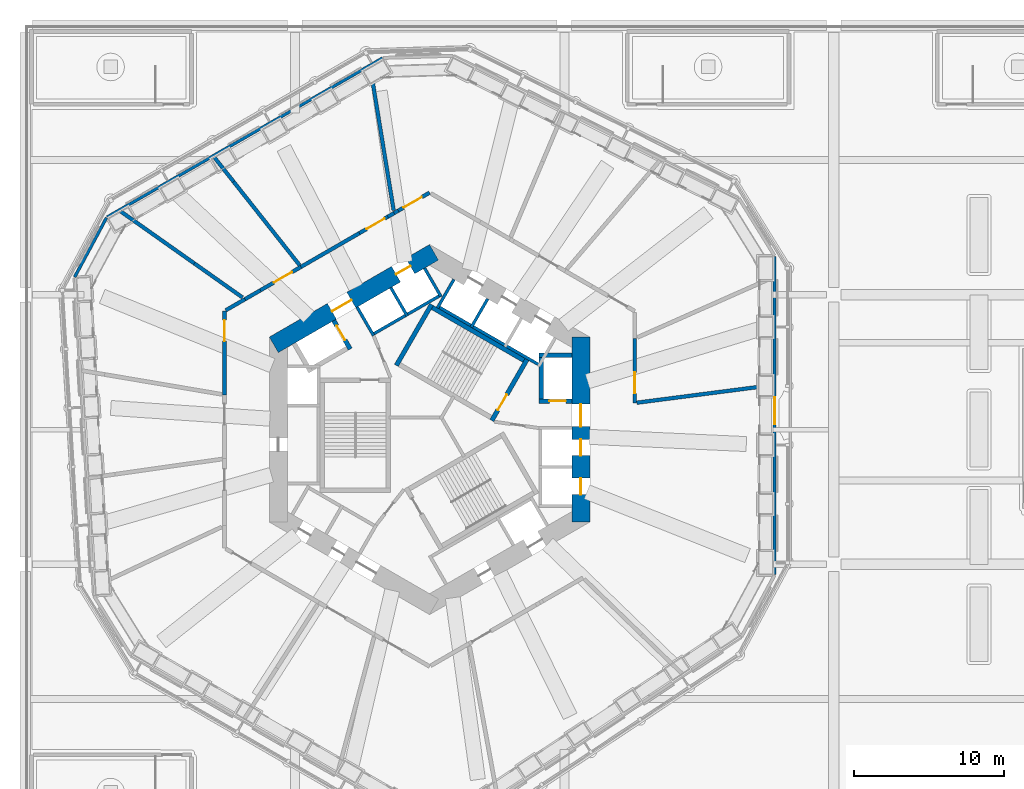
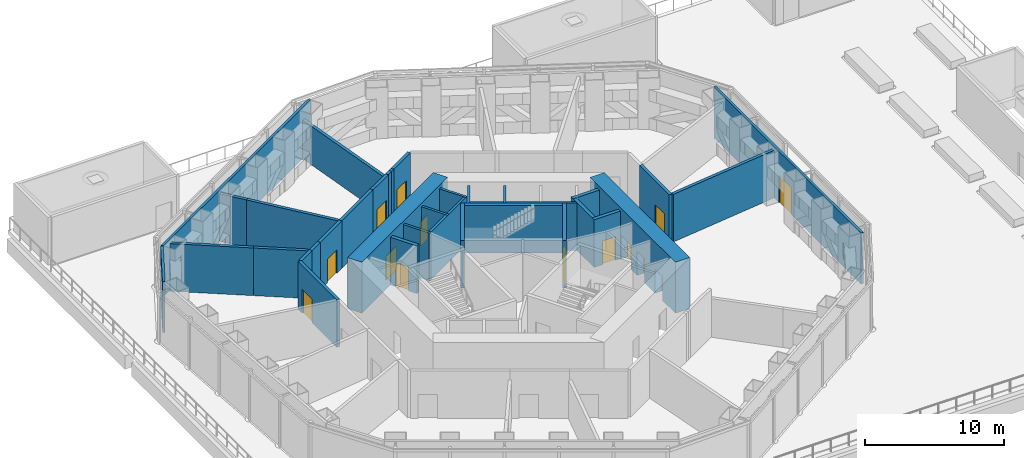
# One storey, part 8 of 20: 35 walls, 14 doors, 14 openings.
"""IFC4 building model written with IfcOpenShell, lengths in metres."""

from ifc_helpers import new_model, si_unit, direction, frame, frame_2d, origin, place, context, subcontext, project, spatial, rectangle, extrude, material, layer, layer_set, type_object, element, fill, save


model = new_model("IFC4")

# Units and contexts
model_context = context("Model", 3, precision=1e-05, world=origin(), true_north=direction((0.0, 1.0)))
body_context = subcontext(model_context, "Body", "Model", "MODEL_VIEW")
ifc_project = project(units=[si_unit("LENGTHUNIT", "METRE"), si_unit("AREAUNIT", "SQUARE_METRE"), si_unit("VOLUMEUNIT", "CUBIC_METRE"), si_unit("PLANEANGLEUNIT", "RADIAN"), si_unit("MASSUNIT", "GRAM", prefix="KILO")], contexts=[model_context])

# Site, building, storey
site_placement = place(None, origin())
site = spatial("IfcSite", under=ifc_project, at=site_placement, CompositionType="ELEMENT")
building_placement = place(site_placement, origin())
building = spatial("IfcBuilding", under=site, at=building_placement, Name="Vanh Sen Convention Tower", CompositionType="ELEMENT")
storey_placement = place(building_placement, frame((0.0, 0.0, 34.5)))
storey = spatial("IfcBuildingStorey", under=building, at=storey_placement, Name="L05", CompositionType="ELEMENT", Elevation=34.5)

# Wall
ifc_material_1 = material(Name="Concrete C40/50", Category="concrete")
ifc_layer_1 = layer(ifc_material_1, 0.25)
ifc_layer_set_1 = layer_set([ifc_layer_1], Name="Concrete C40/50")
wall_type_1 = type_object("IfcWallType", Name="Concrete wall 250 EI 180", PredefinedType="SOLIDWALL", material=ifc_layer_set_1)
wall_1_placement = place(storey_placement, frame((13.8388671875, 1.79052734375, 0.0), z_axis=(0.0, 0.0, 1.0), x_axis=(0.991734131904, 0.128309826658, 0.0)))
element("IfcWall", 1, at=wall_1_placement, inside=storey, type_object=wall_type_1, Name="Fire-resisting wall L05-027", PredefinedType="SOLIDWALL", context=body_context, shape_type="SweptSolid", body=[
    extrude(rectangle(XDim=9.177001953125, YDim=0.25, at=frame_2d((4.58837890625, 0.0))), origin(), (0.0, 0.0, 1.0), 4.199951171875),
])

# Wall, opening, door
wall_2_placement = place(storey_placement, frame((-13.699951171875, 2.320556640625, 0.0), z_axis=(0.0, 0.0, 1.0), x_axis=(0.0, 1.0, 0.0)))
wall_2 = element("IfcWall", 2, at=wall_2_placement, inside=storey, type_object=wall_type_1, Name="Fire-resisting wall L05-028", PredefinedType="SOLIDWALL", context=body_context, shape_type="SweptSolid", body=[
    extrude(rectangle(XDim=5.5888671875, YDim=0.25, at=frame_2d((2.79443359375, 0.0))), origin(), (0.0, 0.0, 1.0), 4.199951171875),
])
opening_1_placement = place(wall_2_placement, frame((3.589111328125, 0.0, 0.0)))
opening_1 = element("IfcOpeningElement", 3, at=opening_1_placement, cuts=wall_2, Name="Opening D05110", PredefinedType="OPENING", context=body_context, shape_type="SweptSolid", body=[
    extrude(rectangle(XDim=1.39990234375, YDim=2.10009765625, at=frame_2d((0.699951171875, 1.050048828125))), frame((0.0, 0.135009765625, 0.0), z_axis=(0.0, -1.0, 0.0), x_axis=(1.0, 0.0, 0.0)), (0.0, 0.0, 1.0), 0.27001953125),
])
ifc_material_2 = material(Name="Steel S355", Category="steel")
door_type_1 = type_object("IfcDoorType", Name="Service door 1400 EI 60", OperationType="SINGLE_SWING_LEFT", PredefinedType="DOOR", material=ifc_material_2)
door_1_placement = place(opening_1_placement, origin())
door_1 = element("IfcDoor", 4, at=door_1_placement, inside=storey, type_object=door_type_1, Name="Service door D05110", OperationType="SINGLE_SWING_LEFT", OverallHeight=2.10009765625, OverallWidth=1.39990234375, PredefinedType="DOOR", context=body_context, shape_type="SweptSolid", body=[
    extrude(rectangle(XDim=1.39990234375, YDim=2.10009765625, at=frame_2d((0.699951171875, 1.050048828125))), frame((0.0, 0.02490234375, 0.0), z_axis=(0.0, -1.0, 0.0), x_axis=(1.0, 0.0, 0.0)), (0.0, 0.0, 1.0), 0.050048828125),
])
fill(opening_1, door_1)

wall_3_placement = place(storey_placement, frame((13.699951171875, 6.070556640625, 0.0), z_axis=(0.0, 0.0, 1.0), x_axis=(0.0, -1.0, 0.0)))
wall_3 = element("IfcWall", 5, at=wall_3_placement, inside=storey, type_object=wall_type_1, Name="Fire-resisting wall L05-032", PredefinedType="SOLIDWALL", context=body_context, shape_type="SweptSolid", body=[
    extrude(rectangle(XDim=4.298095703125, YDim=0.25, at=frame_2d((2.14892578125, 0.0))), origin(), (0.0, 0.0, 1.0), 4.199951171875),
])
opening_2_placement = place(wall_3_placement, frame((2.248046875, 0.0, 0.0)))
opening_2 = element("IfcOpeningElement", 6, at=opening_2_placement, cuts=wall_3, Name="Opening D05111", PredefinedType="OPENING", context=body_context, shape_type="SweptSolid", body=[
    extrude(rectangle(XDim=1.39990234375, YDim=2.10009765625, at=frame_2d((0.699951171875, 1.050048828125))), frame((0.0, 0.135009765625, 0.0), z_axis=(0.0, -1.0, 0.0), x_axis=(1.0, 0.0, 0.0)), (0.0, 0.0, 1.0), 0.27001953125),
])
door_2_placement = place(opening_2_placement, origin())
door_2 = element("IfcDoor", 7, at=door_2_placement, inside=storey, type_object=door_type_1, Name="Service door D05111", OperationType="SINGLE_SWING_LEFT", OverallHeight=2.10009765625, OverallWidth=1.39990234375, PredefinedType="DOOR", context=body_context, shape_type="SweptSolid", body=[
    extrude(rectangle(XDim=1.39990234375, YDim=2.10009765625, at=frame_2d((0.699951171875, 1.050048828125))), frame((0.0, 0.02490234375, 0.0), z_axis=(0.0, -1.0, 0.0), x_axis=(1.0, 0.0, 0.0)), (0.0, 0.0, 1.0), 0.050048828125),
])
fill(opening_2, door_2)

# Walls
wall_4_placement = place(storey_placement, frame((-13.61328125, 7.95947265625, 0.0), z_axis=(0.0, 0.0, 1.0), x_axis=(0.865953452179, 0.500124603133, 0.0)))
element("IfcWall", 8, at=wall_4_placement, inside=storey, type_object=wall_type_1, Name="Fire-resisting wall L05-036", PredefinedType="SOLIDWALL", context=body_context, shape_type="SweptSolid", body=[
    extrude(rectangle(XDim=1.48876953125, YDim=0.25, at=frame_2d((0.744384765625, 0.0))), origin(), (0.0, 0.0, 1.0), 4.199951171875),
])
wall_5_placement = place(storey_placement, frame((-11.292236328125, 9.299560546875, 0.0), z_axis=(0.0, 0.0, 1.0), x_axis=(-0.866103686826, -0.499864385274, 0.0)))
element("IfcWall", 9, at=wall_5_placement, inside=storey, type_object=wall_type_1, Name="Fire-resisting wall L05-037", PredefinedType="SOLIDWALL", context=body_context, shape_type="SweptSolid", body=[
    extrude(rectangle(XDim=1.191162109375, YDim=0.25, at=frame_2d((0.595703125, 0.0))), origin(), (0.0, 0.0, 1.0), 4.199951171875),
])

# Wall, opening, door
wall_6_placement = place(storey_placement, frame((-8.5869140625, 10.861572265625, 0.0), z_axis=(0.0, 0.0, 1.0), x_axis=(-0.86601248742, -0.500022371132, 0.0)))
wall_6 = element("IfcWall", 10, at=wall_6_placement, inside=storey, type_object=wall_type_1, Name="Fire-resisting wall L05-040", PredefinedType="SOLIDWALL", context=body_context, shape_type="SweptSolid", body=[
    extrude(rectangle(XDim=3.123779296875, YDim=0.25, at=frame_2d((1.56201171875, 0.0))), origin(), (0.0, 0.0, 1.0), 4.199951171875),
])
opening_3_placement = place(wall_6_placement, frame((0.699951171875, 0.0, 0.0)))
opening_3 = element("IfcOpeningElement", 11, at=opening_3_placement, cuts=wall_6, Name="Opening D05114", PredefinedType="OPENING", context=body_context, shape_type="SweptSolid", body=[
    extrude(rectangle(XDim=1.39990234375, YDim=2.10009765625, at=frame_2d((0.699951171875, 1.050048828125))), frame((0.0, 0.135009765625, 0.0), z_axis=(0.0, -1.0, 0.0), x_axis=(1.0, 0.0, 0.0)), (0.0, 0.0, 1.0), 0.27001953125),
])
door_3_placement = place(opening_3_placement, origin())
door_3 = element("IfcDoor", 12, at=door_3_placement, inside=storey, type_object=door_type_1, Name="Service door D05114", OperationType="SINGLE_SWING_LEFT", OverallHeight=2.10009765625, OverallWidth=1.39990234375, PredefinedType="DOOR", context=body_context, shape_type="SweptSolid", body=[
    extrude(rectangle(XDim=1.39990234375, YDim=2.10009765625, at=frame_2d((0.699951171875, 1.050048828125))), frame((0.0, 0.02490234375, 0.0), z_axis=(0.0, -1.0, 0.0), x_axis=(1.0, 0.0, 0.0)), (0.0, 0.0, 1.0), 0.050048828125),
])
fill(opening_3, door_3)

# Walls
wall_7_placement = place(storey_placement, frame((-8.587158203125, 10.861572265625, 0.0), z_axis=(0.0, 0.0, 1.0), x_axis=(0.866020461467, 0.500008560247, 0.0)))
element("IfcWall", 13, at=wall_7_placement, inside=storey, type_object=wall_type_1, Name="Fire-resisting wall L05-041", PredefinedType="SOLIDWALL", context=body_context, shape_type="SweptSolid", body=[
    extrude(rectangle(XDim=4.505859375, YDim=0.25, at=frame_2d((2.2529296875, 0.0))), origin(), (0.0, 0.0, 1.0), 4.199951171875),
])
wall_8_placement = place(storey_placement, frame((-15.70703125, 11.093505859375, 0.0), z_axis=(0.0, 0.0, 1.0), x_axis=(0.816797900082, -0.576923903493, 0.0)))
element("IfcWall", 14, at=wall_8_placement, inside=storey, type_object=wall_type_1, Name="Fire-resisting wall L05-042", PredefinedType="SOLIDWALL", context=body_context, shape_type="SweptSolid", body=[
    extrude(rectangle(XDim=3.94189453125, YDim=0.25, at=frame_2d((1.970947265625, 0.0))), origin(), (0.0, 0.0, 1.0), 4.199951171875),
])
wall_9_placement = place(storey_placement, frame((-15.70703125, 11.093505859375, 0.0), z_axis=(0.0, 0.0, 1.0), x_axis=(-0.816770466732, 0.57696274115, 0.0)))
element("IfcWall", 15, at=wall_9_placement, inside=storey, type_object=wall_type_1, Name="Fire-resisting wall L05-043", PredefinedType="SOLIDWALL", context=body_context, shape_type="SweptSolid", body=[
    extrude(rectangle(XDim=6.0341796875, YDim=0.25, at=frame_2d((3.01708984375, 0.0))), origin(), (0.0, 0.0, 1.0), 4.199951171875),
])

# Wall, opening, door
wall_10_placement = place(storey_placement, frame((-4.68505859375, 13.114501953125, 0.0), z_axis=(0.0, 0.0, 1.0), x_axis=(0.866008176907, 0.50002983664, 0.0)))
wall_10 = element("IfcWall", 16, at=wall_10_placement, inside=storey, type_object=wall_type_1, Name="Fire-resisting wall L05-045", PredefinedType="SOLIDWALL", context=body_context, shape_type="SweptSolid", body=[
    extrude(rectangle(XDim=2.199951171875, YDim=0.25, at=frame_2d((1.10009765625, 0.0))), origin(), (0.0, 0.0, 1.0), 4.199951171875),
])
opening_4_placement = place(wall_10_placement, frame((0.550048828125, 0.0, 0.0)))
opening_4 = element("IfcOpeningElement", 17, at=opening_4_placement, cuts=wall_10, Name="Opening D05115", PredefinedType="OPENING", context=body_context, shape_type="SweptSolid", body=[
    extrude(rectangle(XDim=1.39990234375, YDim=2.10009765625, at=frame_2d((0.699951171875, 1.050048828125))), frame((0.0, 0.135009765625, 0.0), z_axis=(0.0, -1.0, 0.0), x_axis=(1.0, 0.0, 0.0)), (0.0, 0.0, 1.0), 0.27001953125),
])
door_4_placement = place(opening_4_placement, origin())
door_4 = element("IfcDoor", 18, at=door_4_placement, inside=storey, type_object=door_type_1, Name="Service door D05115", OperationType="SINGLE_SWING_LEFT", OverallHeight=2.10009765625, OverallWidth=1.39990234375, PredefinedType="DOOR", context=body_context, shape_type="SweptSolid", body=[
    extrude(rectangle(XDim=1.39990234375, YDim=2.10009765625, at=frame_2d((0.699951171875, 1.050048828125))), frame((0.0, 0.02490234375, 0.0), z_axis=(0.0, -1.0, 0.0), x_axis=(1.0, 0.0, 0.0)), (0.0, 0.0, 1.0), 0.050048828125),
])
fill(opening_4, door_4)

# Walls
wall_11_placement = place(storey_placement, frame((-2.77978515625, 14.214599609375, 0.0), z_axis=(0.0, 0.0, 1.0), x_axis=(0.866007328409, 0.500031306162, 0.0)))
element("IfcWall", 19, at=wall_11_placement, inside=storey, type_object=wall_type_1, Name="Fire-resisting wall L05-047", PredefinedType="SOLIDWALL", context=body_context, shape_type="SweptSolid", body=[
    extrude(rectangle(XDim=0.47900390625, YDim=0.25, at=frame_2d((0.239501953125, 0.0))), origin(), (0.0, 0.0, 1.0), 4.199951171875),
])
wall_12_placement = place(storey_placement, frame((-2.364990234375, 14.4541015625, 0.0), z_axis=(0.0, 0.0, 1.0), x_axis=(0.86622356696, 0.499656614129, 0.0)))
element("IfcWall", 20, at=wall_12_placement, inside=storey, type_object=wall_type_1, Name="Fire-resisting wall L05-048", PredefinedType="SOLIDWALL", context=body_context, shape_type="SweptSolid", body=[
    extrude(rectangle(XDim=0.321044921875, YDim=0.25, at=frame_2d((0.16064453125, 0.0))), origin(), (0.0, 0.0, 1.0), 4.199951171875),
])
wall_13_placement = place(storey_placement, frame((-2.39404296875, 14.631591796875, 0.0), z_axis=(0.0, 0.0, 1.0), x_axis=(-0.161467170833, 0.986878084032, 0.0)))
element("IfcWall", 21, at=wall_13_placement, inside=storey, type_object=wall_type_1, Name="Fire-resisting wall L05-049", PredefinedType="SOLIDWALL", context=body_context, shape_type="SweptSolid", body=[
    extrude(rectangle(XDim=9.697998046875, YDim=0.25, at=frame_2d((4.84912109375, 0.0))), origin(), (0.0, 0.0, 1.0), 3.39990234375),
])

# Wall, opening, door
wall_14_placement = place(storey_placement, frame((0.0, 15.819580078125, 0.0), z_axis=(0.0, 0.0, 1.0), x_axis=(-0.86598987286, -0.500061536317, 0.0)))
wall_14 = element("IfcWall", 22, at=wall_14_placement, inside=storey, type_object=wall_type_1, Name="Fire-resisting wall L05-051", PredefinedType="SOLIDWALL", context=body_context, shape_type="SweptSolid", body=[
    extrude(rectangle(XDim=2.409912109375, YDim=0.25, at=frame_2d((1.205078125, 0.0))), origin(), (0.0, 0.0, 1.0), 4.199951171875),
])
opening_5_placement = place(wall_14_placement, frame((0.60009765625, 0.0, 0.0)))
opening_5 = element("IfcOpeningElement", 23, at=opening_5_placement, cuts=wall_14, Name="Opening D05116", PredefinedType="OPENING", context=body_context, shape_type="SweptSolid", body=[
    extrude(rectangle(XDim=1.39990234375, YDim=2.10009765625, at=frame_2d((0.699951171875, 1.050048828125))), frame((0.0, 0.135009765625, 0.0), z_axis=(0.0, -1.0, 0.0), x_axis=(1.0, 0.0, 0.0)), (0.0, 0.0, 1.0), 0.27001953125),
])
door_5_placement = place(opening_5_placement, origin())
door_5 = element("IfcDoor", 24, at=door_5_placement, inside=storey, type_object=door_type_1, Name="Service door D05116", OperationType="SINGLE_SWING_LEFT", OverallHeight=2.10009765625, OverallWidth=1.39990234375, PredefinedType="DOOR", context=body_context, shape_type="SweptSolid", body=[
    extrude(rectangle(XDim=1.39990234375, YDim=2.10009765625, at=frame_2d((0.699951171875, 1.050048828125))), frame((0.0, 0.02490234375, 0.0), z_axis=(0.0, -1.0, 0.0), x_axis=(1.0, 0.0, 0.0)), (0.0, 0.0, 1.0), 0.050048828125),
])
fill(opening_5, door_5)

# Walls
wall_15_placement = place(storey_placement, frame((-13.08544921875, 16.551513671875, 0.0), z_axis=(0.0, 0.0, 1.0), x_axis=(0.620189417407, -0.784452093207, 0.0)))
element("IfcWall", 25, at=wall_15_placement, inside=storey, type_object=wall_type_1, Name="Fire-resisting wall L05-052", PredefinedType="SOLIDWALL", context=body_context, shape_type="SweptSolid", body=[
    extrude(rectangle(XDim=7.11328125, YDim=0.25, at=frame_2d((3.556640625, 0.0))), origin(), (0.0, 0.0, 1.0), 4.199951171875),
])
wall_16_placement = place(storey_placement, frame((-13.08544921875, 16.551513671875, 0.0), z_axis=(0.0, 0.0, 1.0), x_axis=(-0.620057979912, 0.784555990066, 0.0)))
element("IfcWall", 26, at=wall_16_placement, inside=storey, type_object=wall_type_1, Name="Fire-resisting wall L05-053", PredefinedType="SOLIDWALL", context=body_context, shape_type="SweptSolid", body=[
    extrude(rectangle(XDim=2.085205078125, YDim=0.25, at=frame_2d((1.04248046875, 0.0))), origin(), (0.0, 0.0, 1.0), 4.199951171875),
])

# Wall, openings, doors
ifc_material_3 = material(Name="Concrete C80/95", Category="concrete")
ifc_layer_2 = layer(ifc_material_3, 1.199951171875)
ifc_layer_set_2 = layer_set([ifc_layer_2], Name="Concrete C80/95")
wall_type_2 = type_object("IfcWallType", Name="Core outer wall 1200 C80/95", PredefinedType="SHEAR", material=ifc_layer_set_2)
wall_17_placement = place(storey_placement, frame((10.10009765625, -6.177490234375, 0.0), z_axis=(0.0, 0.0, 1.0), x_axis=(0.0, 1.0, 0.0)))
wall_17 = element("IfcWall", 27, at=wall_17_placement, inside=storey, type_object=wall_type_2, Name="Core wall face E L05", PredefinedType="SHEAR", context=body_context, shape_type="SweptSolid", body=[
    extrude(rectangle(XDim=12.35498046875, YDim=1.199951171875, at=frame_2d((6.177490234375, 0.0))), origin(), (0.0, 0.0, 1.0), 4.5),
])
opening_6_placement = place(wall_17_placement, frame((6.377685546875, 0.0, 0.0)))
opening_6 = element("IfcOpeningElement", 28, at=opening_6_placement, cuts=wall_17, Name="Opening D05001", PredefinedType="OPENING", context=body_context, shape_type="SweptSolid", body=[
    extrude(rectangle(XDim=1.5, YDim=2.10009765625, at=frame_2d((0.75, 1.050048828125))), frame((0.0, 0.60986328125, 0.0), z_axis=(0.0, -1.0, 0.0), x_axis=(1.0, 0.0, 0.0)), (0.0, 0.0, 1.0), 1.219970703125),
])
opening_7_placement = place(wall_17_placement, frame((1.82763671875, 0.0, 0.0)))
opening_7 = element("IfcOpeningElement", 29, at=opening_7_placement, cuts=wall_17, Name="Opening LD-LR1", PredefinedType="OPENING", context=body_context, shape_type="SweptSolid", body=[
    extrude(rectangle(XDim=1.10009765625, YDim=2.10009765625, at=frame_2d((0.550048828125, 1.050048828125))), frame((0.0, 0.60986328125, 0.0), z_axis=(0.0, -1.0, 0.0), x_axis=(1.0, 0.0, 0.0)), (0.0, 0.0, 1.0), 1.219970703125),
])
opening_8_placement = place(wall_17_placement, frame((4.427490234375, 0.0, 0.0)))
opening_8 = element("IfcOpeningElement", 30, at=opening_8_placement, cuts=wall_17, Name="Opening LD-LR2", PredefinedType="OPENING", context=body_context, shape_type="SweptSolid", body=[
    extrude(rectangle(XDim=1.10009765625, YDim=2.10009765625, at=frame_2d((0.550048828125, 1.050048828125))), frame((0.0, 0.60986328125, 0.0), z_axis=(0.0, -1.0, 0.0), x_axis=(1.0, 0.0, 0.0)), (0.0, 0.0, 1.0), 1.219970703125),
])
ifc_material_4 = material(Name="Stainless steel", Category="steel")
door_type_2 = type_object("IfcDoorType", Name="Lift landing door 1100", OperationType="DOUBLE_DOOR_SLIDING", PredefinedType="DOOR", material=ifc_material_4)
door_6_placement = place(opening_7_placement, origin())
door_6 = element("IfcDoor", 31, at=door_6_placement, inside=storey, type_object=door_type_2, Name="Lift LR1 landing door LD-LR1", OperationType="DOUBLE_DOOR_SLIDING", OverallHeight=2.10009765625, OverallWidth=1.10009765625, PredefinedType="DOOR", context=body_context, shape_type="SweptSolid", body=[
    extrude(rectangle(XDim=1.10009765625, YDim=2.10009765625, at=frame_2d((0.550048828125, 1.050048828125))), frame((0.0, 0.02490234375, 0.0), z_axis=(0.0, -1.0, 0.0), x_axis=(1.0, 0.0, 0.0)), (0.0, 0.0, 1.0), 0.050048828125),
])
fill(opening_7, door_6)
door_7_placement = place(opening_8_placement, origin())
door_7 = element("IfcDoor", 32, at=door_7_placement, inside=storey, type_object=door_type_2, Name="Lift LR2 landing door LD-LR2", OperationType="DOUBLE_DOOR_SLIDING", OverallHeight=2.10009765625, OverallWidth=1.10009765625, PredefinedType="DOOR", context=body_context, shape_type="SweptSolid", body=[
    extrude(rectangle(XDim=1.10009765625, YDim=2.10009765625, at=frame_2d((0.550048828125, 1.050048828125))), frame((0.0, 0.02490234375, 0.0), z_axis=(0.0, -1.0, 0.0), x_axis=(1.0, 0.0, 0.0)), (0.0, 0.0, 1.0), 0.050048828125),
])
fill(opening_8, door_7)
ifc_material_5 = material(Name="Steel S355", Category="steel")
door_type_3 = type_object("IfcDoorType", Name="Stair lobby door 1500", OperationType="DOUBLE_DOOR_SINGLE_SWING", PredefinedType="DOOR", material=ifc_material_5)
door_8_placement = place(opening_6_placement, origin())
door_8 = element("IfcDoor", 33, at=door_8_placement, inside=storey, type_object=door_type_3, Name="Stair lobby door D05001", OperationType="DOUBLE_DOOR_SINGLE_SWING", OverallHeight=2.10009765625, OverallWidth=1.5, PredefinedType="DOOR", context=body_context, shape_type="SweptSolid", body=[
    extrude(rectangle(XDim=1.5, YDim=2.10009765625, at=frame_2d((0.75, 1.050048828125))), frame((0.0, 0.02490234375, 0.0), z_axis=(0.0, -1.0, 0.0), x_axis=(1.0, 0.0, 0.0)), (0.0, 0.0, 1.0), 0.050048828125),
])
fill(opening_6, door_8)

wall_18_placement = place(storey_placement, frame((0.300048828125, 11.835693359375, 0.0), z_axis=(0.0, 0.0, 1.0), x_axis=(-0.866021384402, -0.500006961711, 0.0)))
wall_18 = element("IfcWall", 34, at=wall_18_placement, inside=storey, type_object=wall_type_2, Name="Core wall face NW L05", PredefinedType="SHEAR", context=body_context, shape_type="SweptSolid", body=[
    extrude(rectangle(XDim=12.355224609375, YDim=1.199951171875, at=frame_2d((6.177734375, 0.0))), origin(), (0.0, 0.0, 1.0), 4.5),
])
opening_9_placement = place(wall_18_placement, frame((6.377685546875, 0.0, 0.0)))
opening_9 = element("IfcOpeningElement", 35, at=opening_9_placement, cuts=wall_18, Name="Opening D05002", PredefinedType="OPENING", context=body_context, shape_type="SweptSolid", body=[
    extrude(rectangle(XDim=1.5, YDim=2.10009765625, at=frame_2d((0.75, 1.050048828125))), frame((0.0, 0.60986328125, 0.0), z_axis=(0.0, -1.0, 0.0), x_axis=(1.0, 0.0, 0.0)), (0.0, 0.0, 1.0), 1.219970703125),
])
opening_10_placement = place(wall_18_placement, frame((1.82763671875, 0.0, 0.0)))
opening_10 = element("IfcOpeningElement", 36, at=opening_10_placement, cuts=wall_18, Name="Opening LD-LR6", PredefinedType="OPENING", context=body_context, shape_type="SweptSolid", body=[
    extrude(rectangle(XDim=1.10009765625, YDim=2.10009765625, at=frame_2d((0.550048828125, 1.050048828125))), frame((0.0, 0.60986328125, 0.0), z_axis=(0.0, -1.0, 0.0), x_axis=(1.0, 0.0, 0.0)), (0.0, 0.0, 1.0), 1.219970703125),
])
door_9_placement = place(opening_10_placement, origin())
door_9 = element("IfcDoor", 37, at=door_9_placement, inside=storey, type_object=door_type_2, Name="Lift LR6 landing door LD-LR6", OperationType="DOUBLE_DOOR_SLIDING", OverallHeight=2.10009765625, OverallWidth=1.10009765625, PredefinedType="DOOR", context=body_context, shape_type="SweptSolid", body=[
    extrude(rectangle(XDim=1.10009765625, YDim=2.10009765625, at=frame_2d((0.550048828125, 1.050048828125))), frame((0.0, 0.02490234375, 0.0), z_axis=(0.0, -1.0, 0.0), x_axis=(1.0, 0.0, 0.0)), (0.0, 0.0, 1.0), 0.050048828125),
])
fill(opening_10, door_9)
door_10_placement = place(opening_9_placement, origin())
door_10 = element("IfcDoor", 38, at=door_10_placement, inside=storey, type_object=door_type_3, Name="Stair lobby door D05002", OperationType="DOUBLE_DOOR_SINGLE_SWING", OverallHeight=2.10009765625, OverallWidth=1.5, PredefinedType="DOOR", context=body_context, shape_type="SweptSolid", body=[
    extrude(rectangle(XDim=1.5, YDim=2.10009765625, at=frame_2d((0.75, 1.050048828125))), frame((0.0, 0.02490234375, 0.0), z_axis=(0.0, -1.0, 0.0), x_axis=(1.0, 0.0, 0.0)), (0.0, 0.0, 1.0), 0.050048828125),
])
fill(opening_9, door_10)

# Wall, opening, door
ifc_material_6 = material(Name="Insulated lightweight infill wall")
ifc_layer_3 = layer(ifc_material_6, 0.199951171875)
ifc_layer_set_3 = layer_set([ifc_layer_3], Name="Insulated lightweight infill wall")
wall_type_3 = type_object("IfcWallType", Name="External wall 200", PredefinedType="STANDARD", material=ifc_layer_set_3)
wall_19_placement = place(storey_placement, frame((23.050048828125, -9.6865234375, 0.0), z_axis=(0.0, 0.0, 1.0), x_axis=(0.0, 1.0, 0.0)))
wall_19 = element("IfcWall", 39, at=wall_19_placement, inside=storey, type_object=wall_type_3, Name="External wall E L05", PredefinedType="STANDARD", context=body_context, shape_type="SweptSolid", body=[
    extrude(rectangle(XDim=21.24609375, YDim=0.199951171875, at=frame_2d((10.623046875, 0.0))), origin(), (0.0, 0.0, 1.0), 4.5),
])
opening_11_placement = place(wall_19_placement, frame((10.03369140625, 0.0, 0.0)))
opening_11 = element("IfcOpeningElement", 40, at=opening_11_placement, cuts=wall_19, Name="Opening TD051", PredefinedType="OPENING", context=body_context, shape_type="SweptSolid", body=[
    extrude(rectangle(XDim=1.800048828125, YDim=2.39990234375, at=frame_2d((0.89990234375, 1.199951171875))), frame((0.0, 0.10986328125, 0.0), z_axis=(0.0, -1.0, 0.0), x_axis=(1.0, 0.0, 0.0)), (0.0, 0.0, 1.0), 0.219970703125),
])
ifc_material_7 = material(Name="Aluminium frame with clear toughened glass", Category="aluminium")
door_type_4 = type_object("IfcDoorType", Name="Roof terrace door 1800 x 2400", OperationType="DOUBLE_DOOR_DOUBLE_SWING", PredefinedType="DOOR", material=ifc_material_7)
door_11_placement = place(opening_11_placement, origin())
door_11 = element("IfcDoor", 41, at=door_11_placement, inside=storey, type_object=door_type_4, Name="Roof terrace door TD051", OperationType="DOUBLE_DOOR_DOUBLE_SWING", OverallHeight=2.39990234375, OverallWidth=1.800048828125, PredefinedType="DOOR", context=body_context, shape_type="SweptSolid", body=[
    extrude(rectangle(XDim=1.800048828125, YDim=2.39990234375, at=frame_2d((0.89990234375, 1.199951171875))), frame((0.0, 0.02490234375, 0.0), z_axis=(0.0, -1.0, 0.0), x_axis=(1.0, 0.0, 0.0)), (0.0, 0.0, 1.0), 0.050048828125),
])
fill(opening_11, door_11)

# Walls
wall_20_placement = place(storey_placement, frame((-3.135986328125, 24.80517578125, 0.0), z_axis=(0.0, 0.0, 1.0), x_axis=(-0.866028291626, -0.499994998079, 0.0)))
element("IfcWall", 42, at=wall_20_placement, inside=storey, type_object=wall_type_3, Name="External wall NW L05", PredefinedType="STANDARD", context=body_context, shape_type="SweptSolid", body=[
    extrude(rectangle(XDim=21.246337890625, YDim=0.199951171875, at=frame_2d((10.623046875, 0.0))), origin(), (0.0, 0.0, 1.0), 4.5),
])
wall_21_placement = place(storey_placement, frame((-21.573974609375, 14.142822265625, 0.0), z_axis=(0.0, 0.0, 1.0), x_axis=(-0.473292949472, -0.880905093628, 0.0)))
element("IfcWall", 43, at=wall_21_placement, inside=storey, type_object=wall_type_3, Name="External wall CH3 L05", PredefinedType="STANDARD", context=body_context, shape_type="SweptSolid", body=[
    extrude(rectangle(XDim=4.493896484375, YDim=0.199951171875, at=frame_2d((2.2470703125, 0.0))), origin(), (0.0, 0.0, 1.0), 4.5),
])

# Wall, opening, door
ifc_material_8 = material(Name="Concrete C60/75", Category="concrete")
ifc_layer_4 = layer(ifc_material_8, 0.300048828125)
ifc_layer_set_4 = layer_set([ifc_layer_4], Name="Concrete C60/75")
wall_type_4 = type_object("IfcWallType", Name="Fire-fighting lift shaft wall 300", PredefinedType="SHEAR", material=ifc_layer_set_4)
wall_22_placement = place(storey_placement, frame((7.300048828125, 1.89990234375, 0.0), z_axis=(0.0, 0.0, 1.0), x_axis=(1.0, 0.0, 0.0)))
wall_22 = element("IfcWall", 44, at=wall_22_placement, inside=storey, type_object=wall_type_4, Name="Fire-fighting lift shaft wall L05", PredefinedType="SHEAR", context=body_context, shape_type="SweptSolid", body=[
    extrude(rectangle(XDim=2.199951171875, YDim=0.300048828125, at=frame_2d((1.10009765625, 0.0))), origin(), (0.0, 0.0, 1.0), 4.199951171875),
])
opening_12_placement = place(wall_22_placement, frame((0.699951171875, 0.0, 0.0)))
opening_12 = element("IfcOpeningElement", 45, at=opening_12_placement, cuts=wall_22, Name="Opening LD-FF1", PredefinedType="OPENING", context=body_context, shape_type="SweptSolid", body=[
    extrude(rectangle(XDim=1.10009765625, YDim=2.10009765625, at=frame_2d((0.550048828125, 1.050048828125))), frame((0.0, 0.159912109375, 0.0), z_axis=(0.0, -1.0, 0.0), x_axis=(1.0, 0.0, 0.0)), (0.0, 0.0, 1.0), 0.320068359375),
])
door_type_5 = type_object("IfcDoorType", Name="Fire-fighting lift landing door 1100", OperationType="DOUBLE_DOOR_SLIDING", PredefinedType="DOOR", material=ifc_material_4)
door_12_placement = place(opening_12_placement, origin())
door_12 = element("IfcDoor", 46, at=door_12_placement, inside=storey, type_object=door_type_5, Name="Lift FF1 landing door LD-FF1", OperationType="DOUBLE_DOOR_SLIDING", OverallHeight=2.10009765625, OverallWidth=1.10009765625, PredefinedType="DOOR", context=body_context, shape_type="SweptSolid", body=[
    extrude(rectangle(XDim=1.10009765625, YDim=2.10009765625, at=frame_2d((0.550048828125, 1.050048828125))), frame((0.0, 0.02490234375, 0.0), z_axis=(0.0, -1.0, 0.0), x_axis=(1.0, 0.0, 0.0)), (0.0, 0.0, 1.0), 0.050048828125),
])
fill(opening_12, door_12)

# Walls
wall_23_placement = place(storey_placement, frame((7.449951171875, 1.75, 0.0), z_axis=(0.0, 0.0, 1.0), x_axis=(0.0, 1.0, 0.0)))
element("IfcWall", 47, at=wall_23_placement, inside=storey, type_object=wall_type_4, Name="Fire-fighting lift shaft wall L05", PredefinedType="SHEAR", context=body_context, shape_type="SweptSolid", body=[
    extrude(rectangle(XDim=3.35009765625, YDim=0.300048828125, at=frame_2d((1.675048828125, 0.0))), origin(), (0.0, 0.0, 1.0), 4.199951171875),
])
wall_24_placement = place(storey_placement, frame((7.300048828125, 4.949951171875, 0.0), z_axis=(0.0, 0.0, 1.0), x_axis=(1.0, 0.0, 0.0)))
element("IfcWall", 48, at=wall_24_placement, inside=storey, type_object=wall_type_4, Name="Fire-fighting lift shaft wall L05", PredefinedType="SHEAR", context=body_context, shape_type="SweptSolid", body=[
    extrude(rectangle(XDim=2.199951171875, YDim=0.300048828125, at=frame_2d((1.10009765625, 0.0))), origin(), (0.0, 0.0, 1.0), 4.199951171875),
])

# Wall, opening, door
wall_25_placement = place(storey_placement, frame((-5.29541015625, 5.3720703125, 0.0), z_axis=(0.0, 0.0, 1.0), x_axis=(-0.500077893725, 0.86598042715, 0.0)))
wall_25 = element("IfcWall", 49, at=wall_25_placement, inside=storey, type_object=wall_type_4, Name="Fire-fighting lift shaft wall L05", PredefinedType="SHEAR", context=body_context, shape_type="SweptSolid", body=[
    extrude(rectangle(XDim=2.199951171875, YDim=0.300048828125, at=frame_2d((1.10009765625, 0.0))), origin(), (0.0, 0.0, 1.0), 4.199951171875),
])
opening_13_placement = place(wall_25_placement, frame((0.699951171875, 0.0, 0.0)))
opening_13 = element("IfcOpeningElement", 50, at=opening_13_placement, cuts=wall_25, Name="Opening LD-FF2", PredefinedType="OPENING", context=body_context, shape_type="SweptSolid", body=[
    extrude(rectangle(XDim=1.10009765625, YDim=2.10009765625, at=frame_2d((0.550048828125, 1.050048828125))), frame((0.0, 0.159912109375, 0.0), z_axis=(0.0, -1.0, 0.0), x_axis=(1.0, 0.0, 0.0)), (0.0, 0.0, 1.0), 0.320068359375),
])
door_13_placement = place(opening_13_placement, origin())
door_13 = element("IfcDoor", 51, at=door_13_placement, inside=storey, type_object=door_type_5, Name="Lift FF2 landing door LD-FF2", OperationType="DOUBLE_DOOR_SLIDING", OverallHeight=2.10009765625, OverallWidth=1.10009765625, PredefinedType="DOOR", context=body_context, shape_type="SweptSolid", body=[
    extrude(rectangle(XDim=1.10009765625, YDim=2.10009765625, at=frame_2d((0.550048828125, 1.050048828125))), frame((0.0, 0.02490234375, 0.0), z_axis=(0.0, -1.0, 0.0), x_axis=(1.0, 0.0, 0.0)), (0.0, 0.0, 1.0), 0.050048828125),
])
fill(opening_13, door_13)

# Walls
ifc_layer_5 = layer(ifc_material_1, 0.199951171875)
ifc_layer_set_5 = layer_set([ifc_layer_5], Name="Concrete C40/50")
wall_type_5 = type_object("IfcWallType", Name="Lift shaft wall 200", PredefinedType="PARTITIONING", material=ifc_layer_set_5)
wall_26_placement = place(storey_placement, frame((7.423828125, 4.258544921875, 0.0), z_axis=(0.0, 0.0, 1.0), x_axis=(-0.866026010844, 0.49999894854, 0.0)))
element("IfcWall", 52, at=wall_26_placement, inside=storey, type_object=wall_type_5, Name="Lift shaft wall L05", PredefinedType="PARTITIONING", context=body_context, shape_type="SweptSolid", body=[
    extrude(rectangle(XDim=8.0, YDim=0.199951171875, at=frame_2d((4.0, 0.0))), origin(), (0.0, 0.0, 1.0), 4.199951171875),
])
for number, where, z_axis, x_axis, name in (
    (53, (2.783935546875, 6.822021484375, 0.0), (0.0, 0.0, 1.0), (0.50002983664, 0.866008176907, 0.0), "Lift shaft wall L05"),
    (54, (0.5322265625, 8.1220703125, 0.0), (0.0, 0.0, 1.0), (0.500077893725, 0.86598042715, 0.0), "Lift shaft wall L05"),
):
    element("IfcWall", number, at=place(storey_placement, frame(where, z_axis=z_axis, x_axis=x_axis)), inside=storey, type_object=wall_type_5, Name=name, PredefinedType="PARTITIONING", context=body_context, shape_type="SweptSolid", body=[
        extrude(rectangle(XDim=2.199951171875, YDim=0.199951171875, at=frame_2d((1.10009765625, 0.0))), origin(), (0.0, 0.0, 1.0), 4.199951171875),
    ])
wall_27_placement = place(storey_placement, frame((0.80322265625, 9.008544921875, 0.0), z_axis=(0.0, 0.0, 1.0), x_axis=(-0.866028230842, -0.499995103361, 0.0)))
element("IfcWall", 55, at=wall_27_placement, inside=storey, type_object=wall_type_5, Name="Lift shaft wall L05", PredefinedType="PARTITIONING", context=body_context, shape_type="SweptSolid", body=[
    extrude(rectangle(XDim=5.39990234375, YDim=0.199951171875, at=frame_2d((2.699951171875, 0.0))), origin(), (0.0, 0.0, 1.0), 4.199951171875),
])
wall_28_placement = place(storey_placement, frame((0.7666015625, 8.8720703125, 0.0), z_axis=(0.0, 0.0, 1.0), x_axis=(-0.499994660107, 0.866028486751, 0.0)))
element("IfcWall", 56, at=wall_28_placement, inside=storey, type_object=wall_type_5, Name="Lift shaft wall L05", PredefinedType="PARTITIONING", context=body_context, shape_type="SweptSolid", body=[
    extrude(rectangle(XDim=2.19970703125, YDim=0.199951171875, at=frame_2d((1.099853515625, 0.0))), origin(), (0.0, 0.0, 1.0), 4.199951171875),
])
for number, where, z_axis, x_axis, name in (
    (57, (-1.48486328125, 7.572021484375, 0.0), (0.0, 0.0, 1.0), (-0.50002983664, 0.866008176907, 0.0), "Lift shaft wall L05"),
    (58, (-3.736572265625, 6.27197265625, 0.0), (0.0, 0.0, 1.0), (-0.50002983664, 0.866008176907, 0.0), "Lift shaft wall L05"),
):
    element("IfcWall", number, at=place(storey_placement, frame(where, z_axis=z_axis, x_axis=x_axis)), inside=storey, type_object=wall_type_5, Name=name, PredefinedType="PARTITIONING", context=body_context, shape_type="SweptSolid", body=[
        extrude(rectangle(XDim=2.199951171875, YDim=0.199951171875, at=frame_2d((1.10009765625, 0.0))), origin(), (0.0, 0.0, 1.0), 4.199951171875),
    ])

# Wall, opening, door
ifc_layer_6 = layer(ifc_material_8, 0.300048828125)
ifc_layer_set_6 = layer_set([ifc_layer_6], Name="Concrete C60/75")
wall_type_6 = type_object("IfcWallType", Name="Stair wall 300", PredefinedType="SHEAR", material=ifc_layer_set_6)
wall_29_placement = place(storey_placement, frame((4.157958984375, 0.601806640625, 0.0), z_axis=(0.0, 0.0, 1.0), x_axis=(0.499977259774, 0.866038532462, 0.0)))
wall_29 = element("IfcWall", 59, at=wall_29_placement, inside=storey, type_object=wall_type_6, Name="Stair wall L05", PredefinedType="SHEAR", context=body_context, shape_type="SweptSolid", body=[
    extrude(rectangle(XDim=4.699951171875, YDim=0.300048828125, at=frame_2d((2.35009765625, 0.0))), origin(), (0.0, 0.0, 1.0), 4.199951171875),
])
opening_14_placement = place(wall_29_placement, frame((0.800048828125, 0.0, 0.0)))
opening_14 = element("IfcOpeningElement", 60, at=opening_14_placement, cuts=wall_29, Name="Opening D05004", PredefinedType="OPENING", context=body_context, shape_type="SweptSolid", body=[
    extrude(rectangle(XDim=1.199951171875, YDim=2.10009765625, at=frame_2d((0.60009765625, 1.050048828125))), frame((0.0, 0.159912109375, 0.0), z_axis=(0.0, -1.0, 0.0), x_axis=(1.0, 0.0, 0.0)), (0.0, 0.0, 1.0), 0.320068359375),
])
door_type_6 = type_object("IfcDoorType", Name="Stair door 1200", OperationType="SINGLE_SWING_RIGHT", PredefinedType="DOOR", material=ifc_material_5)
door_14_placement = place(opening_14_placement, origin())
door_14 = element("IfcDoor", 61, at=door_14_placement, inside=storey, type_object=door_type_6, Name="Stair ST1 door D05004", OperationType="SINGLE_SWING_RIGHT", OverallHeight=2.10009765625, OverallWidth=1.199951171875, PredefinedType="DOOR", context=body_context, shape_type="SweptSolid", body=[
    extrude(rectangle(XDim=1.199951171875, YDim=2.10009765625, at=frame_2d((0.60009765625, 1.050048828125))), frame((0.0, 0.02490234375, 0.0), z_axis=(0.0, -1.0, 0.0), x_axis=(1.0, 0.0, 0.0)), (0.0, 0.0, 1.0), 0.050048828125),
])
fill(opening_14, door_14)

# Walls
wall_30_placement = place(storey_placement, frame((-2.216064453125, 4.28173828125, 0.0), z_axis=(0.0, 0.0, 1.0), x_axis=(0.499977259774, 0.866038532462, 0.0)))
element("IfcWall", 62, at=wall_30_placement, inside=storey, type_object=wall_type_6, Name="Stair wall L05", PredefinedType="SHEAR", context=body_context, shape_type="SweptSolid", body=[
    extrude(rectangle(XDim=4.699951171875, YDim=0.300048828125, at=frame_2d((2.35009765625, 0.0))), origin(), (0.0, 0.0, 1.0), 4.199951171875),
])
wall_31_placement = place(storey_placement, frame((6.302978515625, 4.6171875, 0.0), z_axis=(0.0, 0.0, 1.0), x_axis=(-0.866027801685, 0.499995846692, 0.0)))
element("IfcWall", 63, at=wall_31_placement, inside=storey, type_object=wall_type_6, Name="Stair wall L05", PredefinedType="SHEAR", context=body_context, shape_type="SweptSolid", body=[
    extrude(rectangle(XDim=7.06005859375, YDim=0.300048828125, at=frame_2d((3.530029296875, 0.0))), origin(), (0.0, 0.0, 1.0), 4.199951171875),
])

save(model, "model.ifc")
